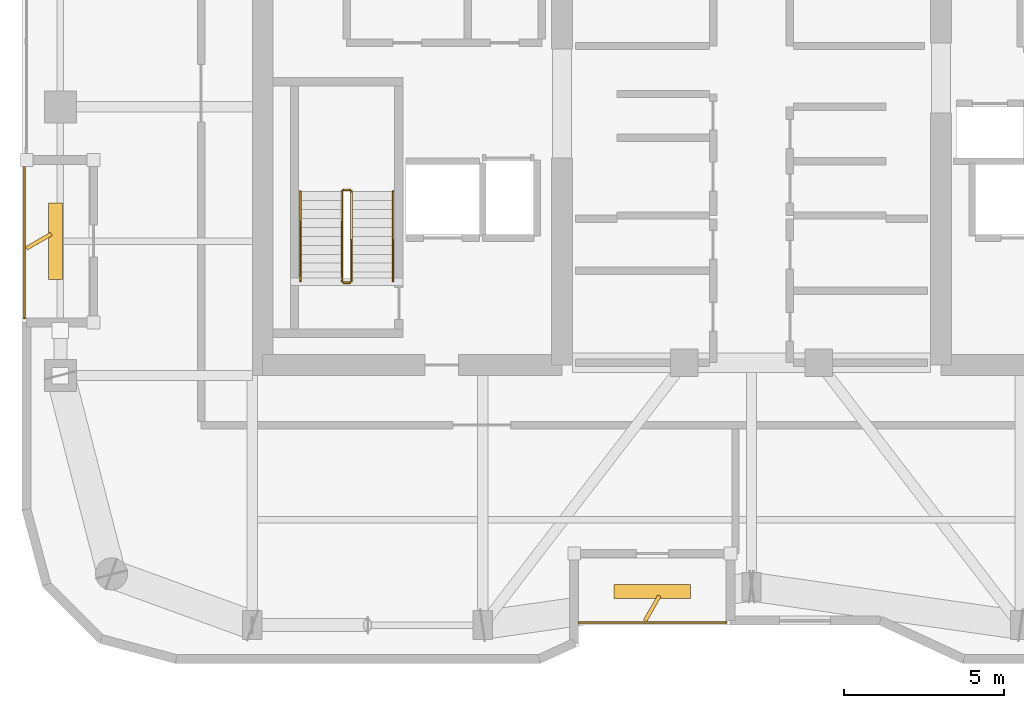
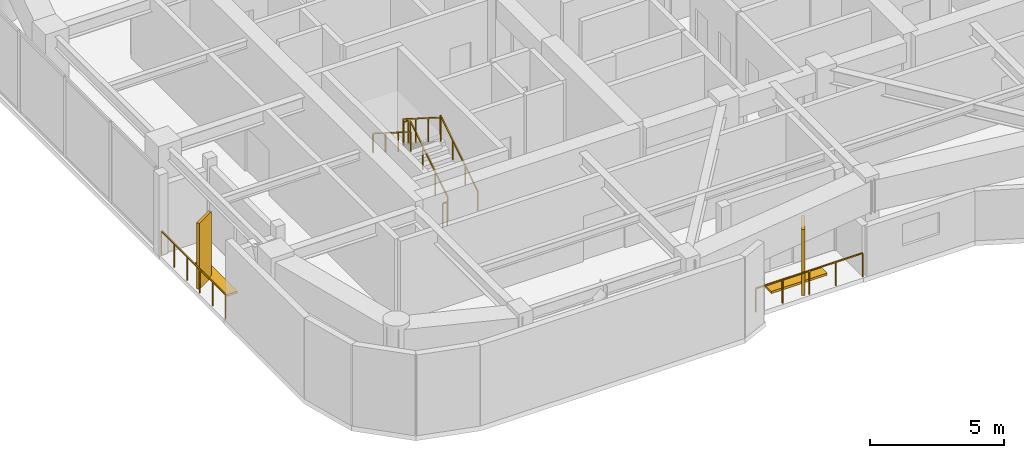
# One storey, part 14 of 16: 8 railings, 4 shading devices.
"""IFC4 building model written with IfcOpenShell, lengths in metres."""

from ifc_helpers import new_model, si_unit, direction, frame, origin, origin_2d, place, context, subcontext, project, spatial, rectangle, extrude, material, type_object, element, save


model = new_model("IFC4")

# Units and contexts
model_context = context("Model", 3, precision=1e-05, world=origin(), true_north=direction((0.0, 1.0)))
body_context = subcontext(model_context, "Body", "Model", "MODEL_VIEW")
ifc_project = project(units=[si_unit("LENGTHUNIT", "METRE"), si_unit("AREAUNIT", "SQUARE_METRE"), si_unit("VOLUMEUNIT", "CUBIC_METRE"), si_unit("PLANEANGLEUNIT", "RADIAN"), si_unit("MASSUNIT", "GRAM", prefix="KILO")], contexts=[model_context])

# Site, building, storey
site_placement = place(None, origin())
site = spatial("IfcSite", under=ifc_project, at=site_placement, CompositionType="ELEMENT")
building_placement = place(site_placement, origin())
building = spatial("IfcBuilding", under=site, at=building_placement, Name="Kiyonajd Concourse Tower", CompositionType="ELEMENT")
storey_placement = place(building_placement, frame((0.0, 0.0, 255.0)))
storey = spatial("IfcBuildingStorey", under=building, at=storey_placement, Name="L64", CompositionType="ELEMENT", Elevation=255.0)

# Railings
ifc_material_1 = material(Name="Thermally Broken Anodised Aluminium", Category="aluminium")
railing_type_1 = type_object("IfcRailingType", Name="RL-GRD-LOG", PredefinedType="GUARDRAIL", material=ifc_material_1)
railing_1_placement = place(storey_placement, frame((42.60009765625, 19.8798828125, 0.0)))
element("IfcRailing", 1, at=railing_1_placement, inside=storey, type_object=railing_type_1, Name="L64 Engawa Loggia Perimeter Guard LOG-S", PredefinedType="GUARDRAIL", context=body_context, shape_type="SweptSolid", body=[
    extrude(rectangle(XDim=0.048095703125, YDim=0.048095703125, at=origin_2d()), frame((0.0, 0.0, 1.076171875), z_axis=(1.0, 0.0, 0.0), x_axis=(0.0, 1.0, 0.0)), (0.0, 0.0, 1.0), 4.599853515625),
    extrude(rectangle(XDim=0.0419921875, YDim=0.0419921875, at=origin_2d()), origin(), (0.0, 0.0, 1.0), 1.052001953125),
    extrude(rectangle(XDim=0.0419921875, YDim=0.0419921875, at=origin_2d()), frame((1.14990234375, 0.0, 0.0)), (0.0, 0.0, 1.0), 1.052001953125),
    extrude(rectangle(XDim=0.0419921875, YDim=0.0419921875, at=origin_2d()), frame((2.2998046875, 0.0, 0.0)), (0.0, 0.0, 1.0), 1.052001953125),
    extrude(rectangle(XDim=0.0419921875, YDim=0.0419921875, at=origin_2d()), frame((3.449951171875, 0.0, 0.0)), (0.0, 0.0, 1.0), 1.052001953125),
    extrude(rectangle(XDim=0.0419921875, YDim=0.0419921875, at=origin_2d()), frame((4.599853515625, 0.0, 0.0)), (0.0, 0.0, 1.0), 1.052001953125),
])
railing_2_placement = place(storey_placement, frame((25.280029296875, 34.199951171875, 0.0)))
element("IfcRailing", 2, at=railing_2_placement, inside=storey, type_object=railing_type_1, Name="L64 Engawa Loggia Perimeter Guard LOG-W", PredefinedType="GUARDRAIL", context=body_context, shape_type="SweptSolid", body=[
    extrude(rectangle(XDim=0.048095703125, YDim=0.048095703125, at=origin_2d()), frame((0.0, 0.0, 1.076171875), z_axis=(0.0, -1.0, 0.0), x_axis=(1.0, 0.0, 0.0)), (0.0, 0.0, 1.0), 4.800048828125),
    extrude(rectangle(XDim=0.0419921875, YDim=0.0419921875, at=origin_2d()), origin(), (0.0, 0.0, 1.0), 1.052001953125),
    extrude(rectangle(XDim=0.0419921875, YDim=0.0419921875, at=origin_2d()), frame((0.0, -0.9599609375, 0.0)), (0.0, 0.0, 1.0), 1.052001953125),
    extrude(rectangle(XDim=0.0419921875, YDim=0.0419921875, at=origin_2d()), frame((0.0, -1.919921875, 0.0)), (0.0, 0.0, 1.0), 1.052001953125),
    extrude(rectangle(XDim=0.0419921875, YDim=0.0419921875, at=origin_2d()), frame((0.0, -2.880126953125, 0.0)), (0.0, 0.0, 1.0), 1.052001953125),
    extrude(rectangle(XDim=0.0419921875, YDim=0.0419921875, at=origin_2d()), frame((0.0, -3.840087890625, 0.0)), (0.0, 0.0, 1.0), 1.052001953125),
    extrude(rectangle(XDim=0.0419921875, YDim=0.0419921875, at=origin_2d()), frame((0.0, -4.800048828125, 0.0)), (0.0, 0.0, 1.0), 1.052001953125),
])
ifc_material_2 = material(Name="Steel ASTM A500 Grade C", Category="steel")
railing_type_2 = type_object("IfcRailingType", Name="RL-GRD-STR", PredefinedType="GUARDRAIL", material=ifc_material_2)
railing_3_placement = place(storey_placement, frame((35.5, 30.550048828125, 0.17724609375)))
element("IfcRailing", 3, at=railing_3_placement, inside=storey, type_object=railing_type_2, Name="L64 ST1 stair guard 1", PredefinedType="GUARDRAIL", context=body_context, shape_type="SweptSolid", body=[
    extrude(rectangle(XDim=0.048095703125, YDim=0.048095703125, at=origin_2d()), frame((0.0, 0.0, 1.076171875), z_axis=(0.0, 0.844908973607, 0.534910110503), x_axis=(-1.0, 0.0, 0.0)), (0.0, 0.0, 1.0), 3.31396484375),
    extrude(rectangle(XDim=0.0419921875, YDim=0.0419921875, at=origin_2d()), origin(), (0.0, 0.0, 1.0), 1.052001953125),
    extrude(rectangle(XDim=0.0419921875, YDim=0.0419921875, at=origin_2d()), frame((0.0, 0.933349609375, 0.5908203125)), (0.0, 0.0, 1.0), 1.052001953125),
    extrude(rectangle(XDim=0.0419921875, YDim=0.0419921875, at=origin_2d()), frame((0.0, 1.86669921875, 1.181884765625)), (0.0, 0.0, 1.0), 1.052001953125),
    extrude(rectangle(XDim=0.0419921875, YDim=0.0419921875, at=origin_2d()), frame((0.0, 2.800048828125, 1.772705078125)), (0.0, 0.0, 1.0), 1.052001953125),
])
railing_4_placement = place(storey_placement, frame((35.449951171875, 33.39990234375, 1.949951171875)))
element("IfcRailing", 4, at=railing_4_placement, inside=storey, type_object=railing_type_2, Name="L64 ST1 stair guard 2", PredefinedType="GUARDRAIL", context=body_context, shape_type="SweptSolid", body=[
    extrude(rectangle(XDim=0.048095703125, YDim=0.048095703125, at=origin_2d()), frame((0.0, 0.0, 1.076171875), z_axis=(-1.0, 0.0, 0.0), x_axis=(0.0, -1.0, 0.0)), (0.0, 0.0, 1.0), 0.199951171875),
    extrude(rectangle(XDim=0.0419921875, YDim=0.0419921875, at=origin_2d()), origin(), (0.0, 0.0, 1.0), 1.052001953125),
    extrude(rectangle(XDim=0.0419921875, YDim=0.0419921875, at=origin_2d()), frame((-0.199951171875, 0.0, 0.0)), (0.0, 0.0, 1.0), 1.052001953125),
])
railing_5_placement = place(storey_placement, frame((35.199951171875, 33.35009765625, 2.127197265625)))
element("IfcRailing", 5, at=railing_5_placement, inside=storey, type_object=railing_type_2, Name="L64 ST1 stair guard 3", PredefinedType="GUARDRAIL", context=body_context, shape_type="SweptSolid", body=[
    extrude(rectangle(XDim=0.048095703125, YDim=0.048095703125, at=origin_2d()), frame((0.0, 0.0, 1.076171875), z_axis=(0.0, -0.844908973607, 0.534910110503), x_axis=(1.0, 0.0, 0.0)), (0.0, 0.0, 1.0), 3.31396484375),
    extrude(rectangle(XDim=0.0419921875, YDim=0.0419921875, at=origin_2d()), origin(), (0.0, 0.0, 1.0), 1.052001953125),
    extrude(rectangle(XDim=0.0419921875, YDim=0.0419921875, at=origin_2d()), frame((0.0, -0.933349609375, 0.5908203125)), (0.0, 0.0, 1.0), 1.052001953125),
    extrude(rectangle(XDim=0.0419921875, YDim=0.0419921875, at=origin_2d()), frame((0.0, -1.86669921875, 1.181884765625)), (0.0, 0.0, 1.0), 1.052001953125),
    extrude(rectangle(XDim=0.0419921875, YDim=0.0419921875, at=origin_2d()), frame((0.0, -2.800048828125, 1.772705078125)), (0.0, 0.0, 1.0), 1.052001953125),
])
railing_6_placement = place(storey_placement, frame((35.449951171875, 30.5, 0.0)))
element("IfcRailing", 6, at=railing_6_placement, inside=storey, type_object=railing_type_2, Name="L64 ST1 stair guard 4", PredefinedType="GUARDRAIL", context=body_context, shape_type="SweptSolid", body=[
    extrude(rectangle(XDim=0.048095703125, YDim=0.048095703125, at=origin_2d()), frame((0.0, 0.0, 1.076171875), z_axis=(-1.0, 0.0, 0.0), x_axis=(0.0, -1.0, 0.0)), (0.0, 0.0, 1.0), 0.199951171875),
    extrude(rectangle(XDim=0.0419921875, YDim=0.0419921875, at=origin_2d()), origin(), (0.0, 0.0, 1.0), 1.052001953125),
    extrude(rectangle(XDim=0.0419921875, YDim=0.0419921875, at=origin_2d()), frame((-0.199951171875, 0.0, 0.0)), (0.0, 0.0, 1.0), 1.052001953125),
])
ifc_material_3 = material(Name="Brushed Stainless Steel Cab Assembly", Category="steel")
railing_type_3 = type_object("IfcRailingType", Name="RL-HND-900", PredefinedType="HANDRAIL", material=ifc_material_3)
railing_7_placement = place(storey_placement, frame((36.800048828125, 30.550048828125, 0.17724609375)))
element("IfcRailing", 7, at=railing_7_placement, inside=storey, type_object=railing_type_3, Name="L64 ST1 stair handrail 1", PredefinedType="HANDRAIL", context=body_context, shape_type="SweptSolid", body=[
    extrude(rectangle(XDim=0.048095703125, YDim=0.048095703125, at=origin_2d()), frame((0.0, 0.0, 0.8759765625), z_axis=(0.0, 0.844908973607, 0.534910110503), x_axis=(-1.0, 0.0, 0.0)), (0.0, 0.0, 1.0), 3.31396484375),
    extrude(rectangle(XDim=0.0419921875, YDim=0.0419921875, at=origin_2d()), origin(), (0.0, 0.0, 1.0), 0.851806640625),
    extrude(rectangle(XDim=0.0419921875, YDim=0.0419921875, at=origin_2d()), frame((0.0, 0.933349609375, 0.5908203125)), (0.0, 0.0, 1.0), 0.851806640625),
    extrude(rectangle(XDim=0.0419921875, YDim=0.0419921875, at=origin_2d()), frame((0.0, 1.86669921875, 1.181884765625)), (0.0, 0.0, 1.0), 0.851806640625),
    extrude(rectangle(XDim=0.0419921875, YDim=0.0419921875, at=origin_2d()), frame((0.0, 2.800048828125, 1.772705078125)), (0.0, 0.0, 1.0), 0.851806640625),
])
railing_8_placement = place(storey_placement, frame((33.89990234375, 33.35009765625, 2.127197265625)))
element("IfcRailing", 8, at=railing_8_placement, inside=storey, type_object=railing_type_3, Name="L64 ST1 stair handrail 2", PredefinedType="HANDRAIL", context=body_context, shape_type="SweptSolid", body=[
    extrude(rectangle(XDim=0.048095703125, YDim=0.048095703125, at=origin_2d()), frame((0.0, 0.0, 0.8759765625), z_axis=(0.0, -0.844908973607, 0.534910110503), x_axis=(1.0, 0.0, 0.0)), (0.0, 0.0, 1.0), 3.31396484375),
    extrude(rectangle(XDim=0.0419921875, YDim=0.0419921875, at=origin_2d()), origin(), (0.0, 0.0, 1.0), 0.851806640625),
    extrude(rectangle(XDim=0.0419921875, YDim=0.0419921875, at=origin_2d()), frame((0.0, -0.933349609375, 0.5908203125)), (0.0, 0.0, 1.0), 0.851806640625),
    extrude(rectangle(XDim=0.0419921875, YDim=0.0419921875, at=origin_2d()), frame((0.0, -1.86669921875, 1.181884765625)), (0.0, 0.0, 1.0), 0.851806640625),
    extrude(rectangle(XDim=0.0419921875, YDim=0.0419921875, at=origin_2d()), frame((0.0, -2.800048828125, 1.772705078125)), (0.0, 0.0, 1.0), 0.851806640625),
])

# Shading devices
ifc_material_4 = material(Name="Precast concrete C50/60", Category="concrete")
shading_device_type_1 = type_object("IfcShadingDeviceType", Name="SH-FIN-900", PredefinedType="USERDEFINED", material=ifc_material_4)
for number, where, z_axis, x_axis, name in (
    (9, (44.89990234375, 20.330078125, 0.0), (0.0, 0.0, 1.0), (0.5, 0.866025403784, 0.0), "L64 Angled Koshi Solar Fin LOG-S"),
    (10, (25.72998046875, 31.800048828125, 0.0), (0.0, 0.0, 1.0), (0.866025403784, 0.5, 0.0), "L64 Angled Koshi Solar Fin LOG-W"),
):
    element("IfcShadingDevice", number, at=place(storey_placement, frame(where, z_axis=z_axis, x_axis=x_axis)), inside=storey, type_object=shading_device_type_1, Name=name, ObjectType="FIN", PredefinedType="USERDEFINED", context=body_context, shape_type="SweptSolid", body=[
        extrude(rectangle(XDim=0.89990234375, YDim=0.1201171875, at=origin_2d()), origin(), (0.0, 0.0, 1.0), 3.0),
    ])
shading_device_type_2 = type_object("IfcShadingDeviceType", Name="SH-LVR-600", PredefinedType="JALOUSIE", material=ifc_material_1)
for number, where, z_axis, x_axis, name in (
    (11, (44.89990234375, 20.85009765625, 0.0), (0.0, 0.0, 1.0), (1.0, 0.0, 0.0), "L64 Loggia Threshold Louver LOG-S"),
    (12, (26.25, 31.800048828125, 0.0), (0.0, 0.0, 1.0), (0.0, 1.0, 0.0), "L64 Loggia Threshold Louver LOG-W"),
):
    element("IfcShadingDevice", number, at=place(storey_placement, frame(where, z_axis=z_axis, x_axis=x_axis)), inside=storey, type_object=shading_device_type_2, Name=name, PredefinedType="JALOUSIE", context=body_context, shape_type="SweptSolid", body=[
        extrude(rectangle(XDim=2.39990234375, YDim=0.449951171875, at=origin_2d()), origin(), (0.0, 0.0, 1.0), 0.10009765625),
    ])

save(model, "model.ifc")
